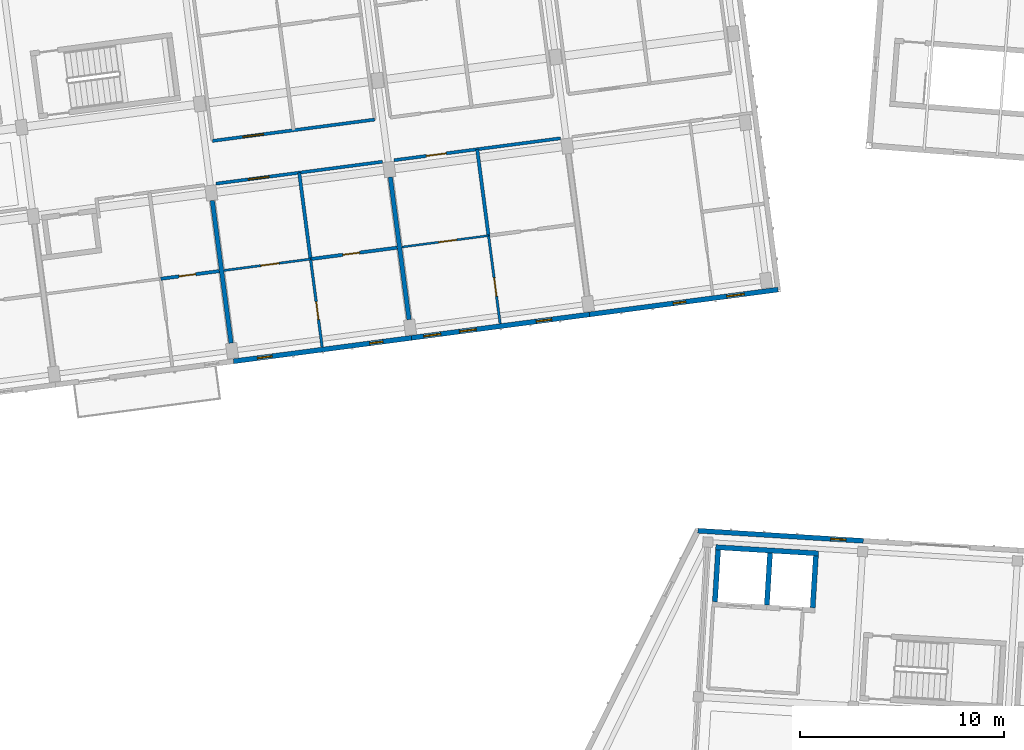
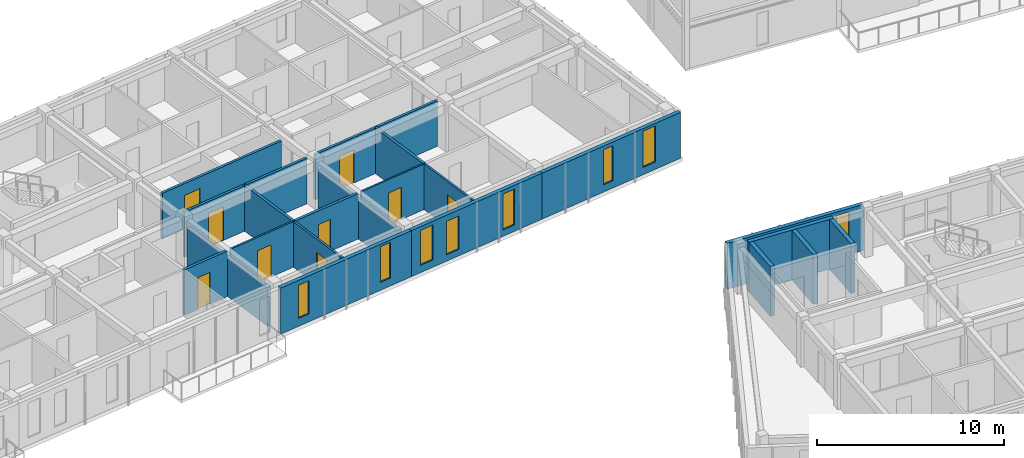
# One storey, part 81 of 127: 21 walls, 9 doors, 8 windows, 17 openings.
"""IFC4 building model written with IfcOpenShell, lengths in metres."""

from ifc_helpers import new_model, si_unit, direction, frame, frame_2d, origin, place, context, subcontext, project, spatial, rectangle, extrude, material, layer, layer_set, type_object, element, fill, save


model = new_model("IFC4")

# Units and contexts
model_context = context("Model", 3, precision=1e-05, world=origin(), true_north=direction((0.0, 1.0)))
body_context = subcontext(model_context, "Body", "Model", "MODEL_VIEW")
ifc_project = project(units=[si_unit("LENGTHUNIT", "METRE"), si_unit("AREAUNIT", "SQUARE_METRE"), si_unit("VOLUMEUNIT", "CUBIC_METRE"), si_unit("PLANEANGLEUNIT", "RADIAN"), si_unit("MASSUNIT", "GRAM", prefix="KILO")], contexts=[model_context])

# Site, building, storey
site_placement = place(None, origin())
site = spatial("IfcSite", under=ifc_project, at=site_placement, CompositionType="ELEMENT")
building_placement = place(site_placement, origin())
building = spatial("IfcBuilding", under=site, at=building_placement, Name="Kestramere Prow Commons", CompositionType="ELEMENT")
storey_placement = place(building_placement, frame((0.0, 0.0, 8.39990234375)))
storey = spatial("IfcBuildingStorey", under=building, at=storey_placement, Name="L02", CompositionType="ELEMENT", Elevation=8.39990234375)

# Wall, openings, windows
ifc_material_1 = material(Name="Fluoropolymer Standing-Seam Zinc-Aluminium Cladding", Category="aluminium")
ifc_layer_1 = layer(ifc_material_1, 0.239990234375)
ifc_layer_set_1 = layer_set([ifc_layer_1], Name="Fluoropolymer Standing-Seam Zinc-Aluminium Cladding")
wall_type_1 = type_object("IfcWallType", Name="EW-SEAM-240", PredefinedType="SOLIDWALL", material=ifc_layer_set_1)
wall_1_placement = place(storey_placement, frame((46.16748046875, 76.073974609375, 0.0), z_axis=(0.0, 0.0, 1.0), x_axis=(-0.991444377792, -0.130529865336, 0.0)))
wall_1 = element("IfcWall", 1, at=wall_1_placement, inside=storey, type_object=wall_type_1, Name="Block A L02 South Standing-Seam Wall 4", PredefinedType="SOLIDWALL", context=body_context, shape_type="SweptSolid", body=[
    extrude(rectangle(XDim=8.800048828125, YDim=0.239990234375, at=frame_2d((4.39990234375, 0.0))), origin(), (0.0, 0.0, 1.0), 3.0),
])
opening_1_placement = place(wall_1_placement, frame((1.4091796875, 0.0, 0.52001953125)))
opening_1 = element("IfcOpeningElement", 2, at=opening_1_placement, cuts=wall_1, Name="Opening WN-05", PredefinedType="OPENING", context=body_context, shape_type="SweptSolid", body=[
    extrude(rectangle(XDim=0.659912109375, YDim=2.320068359375, at=frame_2d((0.330078125, 1.16015625))), frame((0.0, 0.135009765625, 0.0), z_axis=(0.0, -1.0, 0.0), x_axis=(1.0, 0.0, 0.0)), (0.0, 0.0, 1.0), 0.27001953125),
])
opening_2_placement = place(wall_1_placement, frame((6.89453125, 0.0, 0.52001953125)))
opening_2 = element("IfcOpeningElement", 3, at=opening_2_placement, cuts=wall_1, Name="Opening WN-08", PredefinedType="OPENING", context=body_context, shape_type="SweptSolid", body=[
    extrude(rectangle(XDim=0.719970703125, YDim=2.159912109375, at=frame_2d((0.35986328125, 1.080078125))), frame((0.0, 0.135009765625, 0.0), z_axis=(0.0, -1.0, 0.0), x_axis=(1.0, 0.0, 0.0)), (0.0, 0.0, 1.0), 0.27001953125),
])
ifc_material_2 = material(Name="Low-E Laminated Double Glazing", Category="glass")
window_type_1 = type_object("IfcWindowType", Name="WN-NAR-660A", PartitioningType="SINGLE_PANEL", PredefinedType="WINDOW", material=ifc_material_2)
window_1_placement = place(opening_1_placement, origin())
window_1 = element("IfcWindow", 4, at=window_1_placement, inside=storey, type_object=window_type_1, Name="WN-A-L02-S-3-00", OverallHeight=2.320068359375, OverallWidth=0.659912109375, PartitioningType="SINGLE_PANEL", PredefinedType="WINDOW", context=body_context, shape_type="SweptSolid", body=[
    extrude(rectangle(XDim=0.659912109375, YDim=2.320068359375, at=frame_2d((0.330078125, 1.16015625))), frame((0.0, 0.030029296875, 0.0), z_axis=(0.0, -1.0, 0.0), x_axis=(1.0, 0.0, 0.0)), (0.0, 0.0, 1.0), 0.06005859375),
])
fill(opening_1, window_1)
window_type_2 = type_object("IfcWindowType", Name="WN-NAR-720A", PartitioningType="SINGLE_PANEL", PredefinedType="WINDOW", material=ifc_material_2)
window_2_placement = place(opening_2_placement, origin())
window_2 = element("IfcWindow", 5, at=window_2_placement, inside=storey, type_object=window_type_2, Name="WN-A-L02-S-3-10", OverallHeight=2.159912109375, OverallWidth=0.719970703125, PartitioningType="SINGLE_PANEL", PredefinedType="WINDOW", context=body_context, shape_type="SweptSolid", body=[
    extrude(rectangle(XDim=0.719970703125, YDim=2.159912109375, at=frame_2d((0.35986328125, 1.080078125))), frame((0.0, 0.030029296875, 0.0), z_axis=(0.0, -1.0, 0.0), x_axis=(1.0, 0.0, 0.0)), (0.0, 0.0, 1.0), 0.06005859375),
])
fill(opening_2, window_2)

wall_2_placement = place(storey_placement, frame((54.89208984375, 77.22265625, 0.0), z_axis=(0.0, 0.0, 1.0), x_axis=(-0.991443905089, -0.130533455715, 0.0)))
wall_2 = element("IfcWall", 6, at=wall_2_placement, inside=storey, type_object=wall_type_1, Name="Block A L02 South Standing-Seam Wall 5", PredefinedType="SOLIDWALL", context=body_context, shape_type="SweptSolid", body=[
    extrude(rectangle(XDim=8.7998046875, YDim=0.239990234375, at=frame_2d((4.39990234375, 0.0))), origin(), (0.0, 0.0, 1.0), 3.0),
])
opening_3_placement = place(wall_2_placement, frame((1.873291015625, 0.0, 0.419921875)))
opening_3 = element("IfcOpeningElement", 7, at=opening_3_placement, cuts=wall_2, Name="Opening WN-10", PredefinedType="OPENING", context=body_context, shape_type="SweptSolid", body=[
    extrude(rectangle(XDim=0.760009765625, YDim=2.340087890625, at=frame_2d((0.3798828125, 1.169921875))), frame((0.0, 0.135009765625, 0.0), z_axis=(0.0, -1.0, 0.0), x_axis=(1.0, 0.0, 0.0)), (0.0, 0.0, 1.0), 0.27001953125),
])
opening_4_placement = place(wall_2_placement, frame((5.60400390625, 0.0, 0.419921875)))
opening_4 = element("IfcOpeningElement", 8, at=opening_4_placement, cuts=wall_2, Name="Opening WN-13", PredefinedType="OPENING", context=body_context, shape_type="SweptSolid", body=[
    extrude(rectangle(XDim=0.820068359375, YDim=2.179931640625, at=frame_2d((0.41015625, 1.08984375))), frame((0.0, 0.135009765625, 0.0), z_axis=(0.0, -1.0, 0.0), x_axis=(1.0, 0.0, 0.0)), (0.0, 0.0, 1.0), 0.27001953125),
])
opening_5_placement = place(wall_2_placement, frame((7.35009765625, 0.0, 0.47998046875)))
opening_5 = element("IfcOpeningElement", 9, at=opening_5_placement, cuts=wall_2, Name="Opening WN-14", PredefinedType="OPENING", context=body_context, shape_type="SweptSolid", body=[
    extrude(rectangle(XDim=0.840087890625, YDim=2.280029296875, at=frame_2d((0.419921875, 1.14013671875))), frame((0.0, 0.135009765625, 0.0), z_axis=(0.0, -1.0, 0.0), x_axis=(1.0, 0.0, 0.0)), (0.0, 0.0, 1.0), 0.27001953125),
])
window_type_3 = type_object("IfcWindowType", Name="WN-NAR-760A", PartitioningType="SINGLE_PANEL", PredefinedType="WINDOW", material=ifc_material_2)
window_3_placement = place(opening_3_placement, origin())
window_3 = element("IfcWindow", 10, at=window_3_placement, inside=storey, type_object=window_type_3, Name="WN-A-L02-S-4-00", OverallHeight=2.340087890625, OverallWidth=0.760009765625, PartitioningType="SINGLE_PANEL", PredefinedType="WINDOW", context=body_context, shape_type="SweptSolid", body=[
    extrude(rectangle(XDim=0.760009765625, YDim=2.340087890625, at=frame_2d((0.3798828125, 1.169921875))), frame((0.0, 0.030029296875, 0.0), z_axis=(0.0, -1.0, 0.0), x_axis=(1.0, 0.0, 0.0)), (0.0, 0.0, 1.0), 0.06005859375),
])
fill(opening_3, window_3)
window_type_4 = type_object("IfcWindowType", Name="WN-NAR-820A", PartitioningType="DOUBLE_PANEL_VERTICAL", PredefinedType="WINDOW", material=ifc_material_2)
window_4_placement = place(opening_4_placement, origin())
window_4 = element("IfcWindow", 11, at=window_4_placement, inside=storey, type_object=window_type_4, Name="WN-A-L02-S-4-10", OverallHeight=2.179931640625, OverallWidth=0.820068359375, PartitioningType="SINGLE_PANEL", PredefinedType="WINDOW", context=body_context, shape_type="SweptSolid", body=[
    extrude(rectangle(XDim=0.820068359375, YDim=2.179931640625, at=frame_2d((0.41015625, 1.08984375))), frame((0.0, 0.030029296875, 0.0), z_axis=(0.0, -1.0, 0.0), x_axis=(1.0, 0.0, 0.0)), (0.0, 0.0, 1.0), 0.06005859375),
])
fill(opening_4, window_4)
window_type_5 = type_object("IfcWindowType", Name="WN-NAR-840A", PartitioningType="DOUBLE_PANEL_VERTICAL", PredefinedType="WINDOW", material=ifc_material_2)
window_5_placement = place(opening_5_placement, origin())
window_5 = element("IfcWindow", 12, at=window_5_placement, inside=storey, type_object=window_type_5, Name="WN-A-L02-S-4-11", OverallHeight=2.280029296875, OverallWidth=0.840087890625, PartitioningType="SINGLE_PANEL", PredefinedType="WINDOW", context=body_context, shape_type="SweptSolid", body=[
    extrude(rectangle(XDim=0.840087890625, YDim=2.280029296875, at=frame_2d((0.419921875, 1.14013671875))), frame((0.0, 0.030029296875, 0.0), z_axis=(0.0, -1.0, 0.0), x_axis=(1.0, 0.0, 0.0)), (0.0, 0.0, 1.0), 0.06005859375),
])
fill(opening_5, window_5)

wall_3_placement = place(storey_placement, frame((64.13720703125, 78.439697265625, 0.0), z_axis=(0.0, 0.0, 1.0), x_axis=(-0.991446273426, -0.130515466173, 0.0)))
wall_3 = element("IfcWall", 13, at=wall_3_placement, inside=storey, type_object=wall_type_1, Name="Block A L02 South Standing-Seam Wall 6", PredefinedType="SOLIDWALL", context=body_context, shape_type="SweptSolid", body=[
    extrude(rectangle(XDim=9.324951171875, YDim=0.239990234375, at=frame_2d((4.66259765625, 0.0))), origin(), (0.0, 0.0, 1.0), 3.0),
])
opening_6_placement = place(wall_3_placement, frame((1.681884765625, 0.0, 0.47998046875)))
opening_6 = element("IfcOpeningElement", 14, at=opening_6_placement, cuts=wall_3, Name="Opening WN-15", PredefinedType="OPENING", context=body_context, shape_type="SweptSolid", body=[
    extrude(rectangle(XDim=0.860107421875, YDim=2.360107421875, at=frame_2d((0.43017578125, 1.18017578125))), frame((0.0, 0.135009765625, 0.0), z_axis=(0.0, -1.0, 0.0), x_axis=(1.0, 0.0, 0.0)), (0.0, 0.0, 1.0), 0.27001953125),
])
opening_7_placement = place(wall_3_placement, frame((4.5634765625, 0.0, 0.47998046875)))
opening_7 = element("IfcOpeningElement", 15, at=opening_7_placement, cuts=wall_3, Name="Opening WN-03", PredefinedType="OPENING", context=body_context, shape_type="SweptSolid", body=[
    extrude(rectangle(XDim=0.6201171875, YDim=2.280029296875, at=frame_2d((0.31005859375, 1.14013671875))), frame((0.0, 0.135009765625, 0.0), z_axis=(0.0, -1.0, 0.0), x_axis=(1.0, 0.0, 0.0)), (0.0, 0.0, 1.0), 0.27001953125),
])
window_type_6 = type_object("IfcWindowType", Name="WN-NAR-620A", PartitioningType="SINGLE_PANEL", PredefinedType="WINDOW", material=ifc_material_2)
window_6_placement = place(opening_7_placement, origin())
window_6 = element("IfcWindow", 16, at=window_6_placement, inside=storey, type_object=window_type_6, Name="WN-A-L02-S-5-10", OverallHeight=2.280029296875, OverallWidth=0.6201171875, PartitioningType="SINGLE_PANEL", PredefinedType="WINDOW", context=body_context, shape_type="SweptSolid", body=[
    extrude(rectangle(XDim=0.6201171875, YDim=2.280029296875, at=frame_2d((0.31005859375, 1.14013671875))), frame((0.0, 0.030029296875, 0.0), z_axis=(0.0, -1.0, 0.0), x_axis=(1.0, 0.0, 0.0)), (0.0, 0.0, 1.0), 0.06005859375),
])
fill(opening_7, window_6)
window_type_7 = type_object("IfcWindowType", Name="WN-NAR-860A", PartitioningType="DOUBLE_PANEL_VERTICAL", PredefinedType="WINDOW", material=ifc_material_2)
window_7_placement = place(opening_6_placement, origin())
window_7 = element("IfcWindow", 17, at=window_7_placement, inside=storey, type_object=window_type_7, Name="WN-A-L02-S-5-00", OverallHeight=2.360107421875, OverallWidth=0.860107421875, PartitioningType="SINGLE_PANEL", PredefinedType="WINDOW", context=body_context, shape_type="SweptSolid", body=[
    extrude(rectangle(XDim=0.860107421875, YDim=2.360107421875, at=frame_2d((0.43017578125, 1.18017578125))), frame((0.0, 0.030029296875, 0.0), z_axis=(0.0, -1.0, 0.0), x_axis=(1.0, 0.0, 0.0)), (0.0, 0.0, 1.0), 0.06005859375),
])
fill(opening_6, window_7)

# Wall, opening, window
wall_4_placement = place(storey_placement, frame((60.20458984375, 66.61962890625, 0.0), z_axis=(0.0, 0.0, 1.0), x_axis=(0.998134248939, -0.061057522844, 0.0)))
wall_4 = element("IfcWall", 18, at=wall_4_placement, inside=storey, type_object=wall_type_1, Name="Block C L02 North Standing-Seam Wall 1", PredefinedType="SOLIDWALL", context=body_context, shape_type="SweptSolid", body=[
    extrude(rectangle(XDim=8.125, YDim=0.239990234375, at=frame_2d((4.0625, 0.0))), origin(), (0.0, 0.0, 1.0), 3.0),
])
opening_8_placement = place(wall_4_placement, frame((6.52490234375, 0.0, 0.449951171875)))
opening_8 = element("IfcOpeningElement", 19, at=opening_8_placement, cuts=wall_4, Name="Opening WN-19", PredefinedType="OPENING", context=body_context, shape_type="SweptSolid", body=[
    extrude(rectangle(XDim=0.75, YDim=2.320068359375, at=frame_2d((0.375, 1.16015625))), frame((0.0, 0.135009765625, 0.0), z_axis=(0.0, -1.0, 0.0), x_axis=(1.0, 0.0, 0.0)), (0.0, 0.0, 1.0), 0.27001953125),
])
window_type_8 = type_object("IfcWindowType", Name="WN-CLER-1800", PartitioningType="SINGLE_PANEL", PredefinedType="WINDOW", material=ifc_material_2)
window_8_placement = place(opening_8_placement, origin())
window_8 = element("IfcWindow", 20, at=window_8_placement, inside=storey, type_object=window_type_8, Name="Block C L02 Core Lobby Slot Window", OverallHeight=2.320068359375, OverallWidth=0.75, PartitioningType="SINGLE_PANEL", PredefinedType="WINDOW", context=body_context, shape_type="SweptSolid", body=[
    extrude(rectangle(XDim=0.75, YDim=2.320068359375, at=frame_2d((0.375, 1.16015625))), frame((0.0, 0.030029296875, 0.0), z_axis=(0.0, -1.0, 0.0), x_axis=(1.0, 0.0, 0.0)), (0.0, 0.0, 1.0), 0.06005859375),
])
fill(opening_8, window_8)

# Walls
ifc_material_3 = material(Name="Concrete C40/50", Category="concrete")
ifc_layer_2 = layer(ifc_material_3, 0.25)
ifc_layer_set_2 = layer_set([ifc_layer_2], Name="Concrete C40/50")
wall_type_2 = type_object("IfcWallType", Name="W-CORE-250", PredefinedType="SHEAR", material=ifc_layer_set_2)
wall_5_placement = place(storey_placement, frame((61.08203125, 65.814453125, 0.0), z_axis=(0.0, 0.0, 1.0), x_axis=(0.998134101522, -0.061059932685, 0.0)))
element("IfcWall", 21, at=wall_5_placement, inside=storey, type_object=wall_type_2, Name="Block C L02 Lift Core Back Wall", PredefinedType="SHEAR", context=body_context, shape_type="SweptSolid", body=[
    extrude(rectangle(XDim=5.050048828125, YDim=0.25, at=frame_2d((2.52490234375, 0.0))), origin(), (0.0, 0.0, 1.0), 3.25),
])
wall_6_placement = place(storey_placement, frame((61.04345703125, 63.13671875, 0.0), z_axis=(0.0, 0.0, 1.0), x_axis=(0.061078919587, 0.998132939834, 0.0)))
element("IfcWall", 22, at=wall_6_placement, inside=storey, type_object=wall_type_2, Name="Block C L02 Lift Core Side Wall L", PredefinedType="SHEAR", context=body_context, shape_type="SweptSolid", body=[
    extrude(rectangle(XDim=2.55029296875, YDim=0.25, at=frame_2d((1.275146484375, 0.0))), origin(), (0.0, 0.0, 1.0), 3.25),
])
wall_7_placement = place(storey_placement, frame((63.5888671875, 62.981201171875, 0.0), z_axis=(0.0, 0.0, 1.0), x_axis=(0.060989368901, 0.998138415692, 0.0)))
element("IfcWall", 23, at=wall_7_placement, inside=storey, type_object=wall_type_2, Name="Block C L02 Lift Core Side Wall M", PredefinedType="SHEAR", context=body_context, shape_type="SweptSolid", body=[
    extrude(rectangle(XDim=2.5498046875, YDim=0.25, at=frame_2d((1.27490234375, 0.0))), origin(), (0.0, 0.0, 1.0), 3.25),
])
wall_8_placement = place(storey_placement, frame((65.83447265625, 62.84375, 0.0), z_axis=(0.0, 0.0, 1.0), x_axis=(0.061084756616, 0.998132582631, 0.0)))
element("IfcWall", 24, at=wall_8_placement, inside=storey, type_object=wall_type_2, Name="Block C L02 Lift Core Side Wall R", PredefinedType="SHEAR", context=body_context, shape_type="SweptSolid", body=[
    extrude(rectangle(XDim=2.550048828125, YDim=0.25, at=frame_2d((1.27490234375, 0.0))), origin(), (0.0, 0.0, 1.0), 3.25),
])

# Wall, opening, door
ifc_material_4 = material(Name="Fire-Rated Calcium Silicate Wall")
ifc_layer_3 = layer(ifc_material_4, 0.155029296875)
ifc_layer_set_3 = layer_set([ifc_layer_3], Name="Fire-Rated Calcium Silicate Wall")
wall_type_3 = type_object("IfcWallType", Name="W-FIRE-150", PredefinedType="PARTITIONING", material=ifc_layer_set_3)
wall_9_placement = place(storey_placement, frame((36.583740234375, 83.6328125, 0.0), z_axis=(0.0, 0.0, 1.0), x_axis=(0.991445206002, 0.130523574484, 0.0)))
wall_9 = element("IfcWall", 25, at=wall_9_placement, inside=storey, type_object=wall_type_3, Name="Interior Partition PW-A-L02-CS-3", PredefinedType="PARTITIONING", context=body_context, shape_type="SweptSolid", body=[
    extrude(rectangle(XDim=8.22998046875, YDim=0.155029296875, at=frame_2d((4.114990234375, 0.0))), origin(), (0.0, 0.0, 1.0), 2.97021484375),
])
opening_9_placement = place(wall_9_placement, frame((1.60498046875, 0.0, 0.0)))
opening_9 = element("IfcOpeningElement", 26, at=opening_9_placement, cuts=wall_9, Name="Opening ID-05", PredefinedType="OPENING", context=body_context, shape_type="SweptSolid", body=[
    extrude(rectangle(XDim=1.02001953125, YDim=2.199951171875, at=frame_2d((0.510009765625, 1.10009765625))), frame((0.0, 0.092529296875, 0.0), z_axis=(0.0, -1.0, 0.0), x_axis=(1.0, 0.0, 0.0)), (0.0, 0.0, 1.0), 0.18505859375),
])
ifc_material_5 = material(Name="Hardwood Fire-Rated Flat Entrance Door", Category="wood")
door_type_1 = type_object("IfcDoorType", Name="FD-ENT-02", OperationType="NOTDEFINED", PredefinedType="DOOR", material=ifc_material_5)
door_1_placement = place(opening_9_placement, origin())
door_1 = element("IfcDoor", 27, at=door_1_placement, inside=storey, type_object=door_type_1, Name="Interior Door DR-A-L02-ENT-S3", OperationType="SINGLE_SWING_RIGHT", OverallHeight=2.199951171875, OverallWidth=1.02001953125, PredefinedType="DOOR", context=body_context, shape_type="SweptSolid", body=[
    extrude(rectangle(XDim=1.02001953125, YDim=2.199951171875, at=frame_2d((0.510009765625, 1.10009765625))), frame((0.0, 0.02490234375, 0.0), z_axis=(0.0, -1.0, 0.0), x_axis=(1.0, 0.0, 0.0)), (0.0, 0.0, 1.0), 0.050048828125),
])
fill(opening_9, door_1)

wall_10_placement = place(storey_placement, frame((45.30859375, 84.781494140625, 0.0), z_axis=(0.0, 0.0, 1.0), x_axis=(0.991444700604, 0.130527413383, 0.0)))
wall_10 = element("IfcWall", 28, at=wall_10_placement, inside=storey, type_object=wall_type_3, Name="Interior Partition PW-A-L02-CS-4", PredefinedType="PARTITIONING", context=body_context, shape_type="SweptSolid", body=[
    extrude(rectangle(XDim=8.229736328125, YDim=0.155029296875, at=frame_2d((4.11474609375, 0.0))), origin(), (0.0, 0.0, 1.0), 2.97021484375),
])
opening_10_placement = place(wall_10_placement, frame((1.60498046875, 0.0, 0.0)))
opening_10 = element("IfcOpeningElement", 29, at=opening_10_placement, cuts=wall_10, Name="Opening ID-04", PredefinedType="OPENING", context=body_context, shape_type="SweptSolid", body=[
    extrude(rectangle(XDim=0.97998046875, YDim=2.14990234375, at=frame_2d((0.489990234375, 1.074951171875))), frame((0.0, 0.092529296875, 0.0), z_axis=(0.0, -1.0, 0.0), x_axis=(1.0, 0.0, 0.0)), (0.0, 0.0, 1.0), 0.18505859375),
])
door_type_2 = type_object("IfcDoorType", Name="FD-ENT-01", OperationType="NOTDEFINED", PredefinedType="DOOR", material=ifc_material_5)
door_2_placement = place(opening_10_placement, origin())
door_2 = element("IfcDoor", 30, at=door_2_placement, inside=storey, type_object=door_type_2, Name="Interior Door DR-A-L02-ENT-S4", OperationType="SINGLE_SWING_LEFT", OverallHeight=2.14990234375, OverallWidth=0.97998046875, PredefinedType="DOOR", context=body_context, shape_type="SweptSolid", body=[
    extrude(rectangle(XDim=0.97998046875, YDim=2.14990234375, at=frame_2d((0.489990234375, 1.074951171875))), frame((0.0, 0.02490234375, 0.0), z_axis=(0.0, -1.0, 0.0), x_axis=(1.0, 0.0, 0.0)), (0.0, 0.0, 1.0), 0.050048828125),
])
fill(opening_10, door_2)

wall_11_placement = place(storey_placement, frame((36.413818359375, 85.728515625, 0.0), z_axis=(0.0, 0.0, 1.0), x_axis=(0.991444034844, 0.130532470184, 0.0)))
wall_11 = element("IfcWall", 31, at=wall_11_placement, inside=storey, type_object=wall_type_3, Name="Interior Partition PW-A-L02-CN-3", PredefinedType="PARTITIONING", context=body_context, shape_type="SweptSolid", body=[
    extrude(rectangle(XDim=8.02001953125, YDim=0.155029296875, at=frame_2d((4.010009765625, 0.0))), origin(), (0.0, 0.0, 1.0), 2.97021484375),
])
opening_11_placement = place(wall_11_placement, frame((1.5048828125, 0.0, 0.0)))
opening_11 = element("IfcOpeningElement", 32, at=opening_11_placement, cuts=wall_11, Name="Opening ID-05", PredefinedType="OPENING", context=body_context, shape_type="SweptSolid", body=[
    extrude(rectangle(XDim=1.02001953125, YDim=2.199951171875, at=frame_2d((0.510009765625, 1.10009765625))), frame((0.0, 0.092529296875, 0.0), z_axis=(0.0, -1.0, 0.0), x_axis=(1.0, 0.0, 0.0)), (0.0, 0.0, 1.0), 0.18505859375),
])
door_3_placement = place(opening_11_placement, origin())
door_3 = element("IfcDoor", 33, at=door_3_placement, inside=storey, type_object=door_type_1, Name="Interior Door DR-A-L02-ENT-N3", OperationType="SINGLE_SWING_RIGHT", OverallHeight=2.199951171875, OverallWidth=1.02001953125, PredefinedType="DOOR", context=body_context, shape_type="SweptSolid", body=[
    extrude(rectangle(XDim=1.02001953125, YDim=2.199951171875, at=frame_2d((0.510009765625, 1.10009765625))), frame((0.0, 0.02490234375, 0.0), z_axis=(0.0, -1.0, 0.0), x_axis=(1.0, 0.0, 0.0)), (0.0, 0.0, 1.0), 0.050048828125),
])
fill(opening_11, door_3)

ifc_material_6 = material(Name="Gypsum Acoustic Drywall")
ifc_layer_4 = layer(ifc_material_6, 0.10009765625)
ifc_layer_set_4 = layer_set([ifc_layer_4], Name="Gypsum Acoustic Drywall")
wall_type_4 = type_object("IfcWallType", Name="W-PART-100", PredefinedType="PARTITIONING", material=ifc_layer_set_4)
wall_12_placement = place(storey_placement, frame((45.697265625, 80.525634765625, 0.0), z_axis=(0.0, 0.0, 1.0), x_axis=(0.991444014242, 0.130532626667, 0.0)))
wall_12 = element("IfcWall", 34, at=wall_12_placement, inside=storey, type_object=wall_type_4, Name="Interior Partition PW-A-L02-MIDS1-4", PredefinedType="PARTITIONING", context=body_context, shape_type="SweptSolid", body=[
    extrude(rectangle(XDim=4.284912109375, YDim=0.10009765625, at=frame_2d((2.142578125, 0.0))), origin(), (0.0, 0.0, 1.0), 2.97021484375),
])
opening_12_placement = place(wall_12_placement, frame((1.824951171875, 0.0, 0.0)))
opening_12 = element("IfcOpeningElement", 35, at=opening_12_placement, cuts=wall_12, Name="Opening ID-10", PredefinedType="OPENING", context=body_context, shape_type="SweptSolid", body=[
    extrude(rectangle(XDim=0.8798828125, YDim=2.10009765625, at=frame_2d((0.43994140625, 1.050048828125))), frame((0.0, 0.06494140625, 0.0), z_axis=(0.0, -1.0, 0.0), x_axis=(1.0, 0.0, 0.0)), (0.0, 0.0, 1.0), 0.130126953125),
])
ifc_material_7 = material(Name="Engineered Timber Bedroom Door", Category="wood")
door_type_3 = type_object("IfcDoorType", Name="D-RM-03", OperationType="NOTDEFINED", PredefinedType="DOOR", material=ifc_material_7)
door_4_placement = place(opening_12_placement, origin())
door_4 = element("IfcDoor", 36, at=door_4_placement, inside=storey, type_object=door_type_3, Name="Interior Door DR-A-L02-KL-S4", OperationType="SINGLE_SWING_RIGHT", OverallHeight=2.10009765625, OverallWidth=0.8798828125, PredefinedType="DOOR", context=body_context, shape_type="SweptSolid", body=[
    extrude(rectangle(XDim=0.8798828125, YDim=2.10009765625, at=frame_2d((0.43994140625, 1.050048828125))), frame((0.0, 0.02490234375, 0.0), z_axis=(0.0, -1.0, 0.0), x_axis=(1.0, 0.0, 0.0)), (0.0, 0.0, 1.0), 0.050048828125),
])
fill(opening_12, door_4)

ifc_layer_5 = layer(ifc_material_6, 0.110107421875)
ifc_layer_set_5 = layer_set([ifc_layer_5], Name="Gypsum Acoustic Drywall")
wall_type_5 = type_object("IfcWallType", Name="W-PART-110", PredefinedType="PARTITIONING", material=ifc_layer_set_5)
wall_13_placement = place(storey_placement, frame((36.97265625, 79.377197265625, 0.0), z_axis=(0.0, 0.0, 1.0), x_axis=(0.991444014242, 0.130532626667, 0.0)))
wall_13 = element("IfcWall", 37, at=wall_13_placement, inside=storey, type_object=wall_type_5, Name="Interior Partition PW-A-L02-MIDS1-3", PredefinedType="PARTITIONING", context=body_context, shape_type="SweptSolid", body=[
    extrude(rectangle(XDim=4.284912109375, YDim=0.110107421875, at=frame_2d((2.142578125, 0.0))), origin(), (0.0, 0.0, 1.0), 2.97021484375),
])
opening_13_placement = place(wall_13_placement, frame((1.824951171875, 0.0, 0.0)))
opening_13 = element("IfcOpeningElement", 38, at=opening_13_placement, cuts=wall_13, Name="Opening ID-08", PredefinedType="OPENING", context=body_context, shape_type="SweptSolid", body=[
    extrude(rectangle(XDim=0.89990234375, YDim=2.10009765625, at=frame_2d((0.449951171875, 1.050048828125))), frame((0.0, 0.070068359375, 0.0), z_axis=(0.0, -1.0, 0.0), x_axis=(1.0, 0.0, 0.0)), (0.0, 0.0, 1.0), 0.14013671875),
])
ifc_material_8 = material(Name="Engineered Timber Flush Door", Category="wood")
door_type_4 = type_object("IfcDoorType", Name="D-RM-01", OperationType="NOTDEFINED", PredefinedType="DOOR", material=ifc_material_8)
door_5_placement = place(opening_13_placement, origin())
door_5 = element("IfcDoor", 39, at=door_5_placement, inside=storey, type_object=door_type_4, Name="Interior Door DR-A-L02-KL-S3", OperationType="SINGLE_SWING_RIGHT", OverallHeight=2.10009765625, OverallWidth=0.89990234375, PredefinedType="DOOR", context=body_context, shape_type="SweptSolid", body=[
    extrude(rectangle(XDim=0.89990234375, YDim=2.10009765625, at=frame_2d((0.449951171875, 1.050048828125))), frame((0.0, 0.02490234375, 0.0), z_axis=(0.0, -1.0, 0.0), x_axis=(1.0, 0.0, 0.0)), (0.0, 0.0, 1.0), 0.050048828125),
])
fill(opening_13, door_5)

ifc_material_9 = material(Name="Lightweight Blockwork and Plaster", Category="masonry")
ifc_layer_6 = layer(ifc_material_9, 0.1201171875)
ifc_layer_set_6 = layer_set([ifc_layer_6], Name="Lightweight Blockwork and Plaster")
wall_type_6 = type_object("IfcWallType", Name="W-PART-120", PredefinedType="PARTITIONING", material=ifc_layer_set_6)
wall_14_placement = place(storey_placement, frame((50.51220703125, 76.7822265625, 0.0), z_axis=(0.0, 0.0, 1.0), x_axis=(-0.130568017521, 0.991439354071, 0.0)))
wall_14 = element("IfcWall", 40, at=wall_14_placement, inside=storey, type_object=wall_type_6, Name="Interior Partition PW-A-L02-LB-S4", PredefinedType="PARTITIONING", context=body_context, shape_type="SweptSolid", body=[
    extrude(rectangle(XDim=4.33984375, YDim=0.1201171875, at=frame_2d((2.169921875, 0.0))), origin(), (0.0, 0.0, 1.0), 2.97021484375),
])
opening_14_placement = place(wall_14_placement, frame((1.35009765625, 0.0, 0.0)))
opening_14 = element("IfcOpeningElement", 41, at=opening_14_placement, cuts=wall_14, Name="Opening ID-08", PredefinedType="OPENING", context=body_context, shape_type="SweptSolid", body=[
    extrude(rectangle(XDim=0.89990234375, YDim=2.10009765625, at=frame_2d((0.449951171875, 1.050048828125))), frame((0.0, 0.074951171875, 0.0), z_axis=(0.0, -1.0, 0.0), x_axis=(1.0, 0.0, 0.0)), (0.0, 0.0, 1.0), 0.150146484375),
])
door_6_placement = place(opening_14_placement, origin())
door_6 = element("IfcDoor", 42, at=door_6_placement, inside=storey, type_object=door_type_4, Name="Interior Door DR-A-L02-BED-S4", OperationType="SINGLE_SWING_LEFT", OverallHeight=2.10009765625, OverallWidth=0.89990234375, PredefinedType="DOOR", context=body_context, shape_type="SweptSolid", body=[
    extrude(rectangle(XDim=0.89990234375, YDim=2.10009765625, at=frame_2d((0.449951171875, 1.050048828125))), frame((0.0, 0.02490234375, 0.0), z_axis=(0.0, -1.0, 0.0), x_axis=(1.0, 0.0, 0.0)), (0.0, 0.0, 1.0), 0.050048828125),
])
fill(opening_14, door_6)

ifc_layer_7 = layer(ifc_material_9, 0.1298828125)
ifc_layer_set_7 = layer_set([ifc_layer_7], Name="Lightweight Blockwork and Plaster")
wall_type_7 = type_object("IfcWallType", Name="W-PART-130", PredefinedType="PARTITIONING", material=ifc_layer_set_7)
wall_15_placement = place(storey_placement, frame((41.787353515625, 75.633544921875, 0.0), z_axis=(0.0, 0.0, 1.0), x_axis=(-0.130505442025, 0.991447592968, 0.0)))
wall_15 = element("IfcWall", 43, at=wall_15_placement, inside=storey, type_object=wall_type_7, Name="Interior Partition PW-A-L02-LB-S3", PredefinedType="PARTITIONING", context=body_context, shape_type="SweptSolid", body=[
    extrude(rectangle(XDim=4.340087890625, YDim=0.1298828125, at=frame_2d((2.169921875, 0.0))), origin(), (0.0, 0.0, 1.0), 2.97021484375),
])
opening_15_placement = place(wall_15_placement, frame((1.35009765625, 0.0, 0.0)))
opening_15 = element("IfcOpeningElement", 44, at=opening_15_placement, cuts=wall_15, Name="Opening ID-10", PredefinedType="OPENING", context=body_context, shape_type="SweptSolid", body=[
    extrude(rectangle(XDim=0.8798828125, YDim=2.10009765625, at=frame_2d((0.43994140625, 1.050048828125))), frame((0.0, 0.079833984375, 0.0), z_axis=(0.0, -1.0, 0.0), x_axis=(1.0, 0.0, 0.0)), (0.0, 0.0, 1.0), 0.159912109375),
])
door_7_placement = place(opening_15_placement, origin())
door_7 = element("IfcDoor", 45, at=door_7_placement, inside=storey, type_object=door_type_3, Name="Interior Door DR-A-L02-BED-S3", OperationType="SINGLE_SWING_RIGHT", OverallHeight=2.10009765625, OverallWidth=0.8798828125, PredefinedType="DOOR", context=body_context, shape_type="SweptSolid", body=[
    extrude(rectangle(XDim=0.8798828125, YDim=2.10009765625, at=frame_2d((0.43994140625, 1.050048828125))), frame((0.0, 0.02490234375, 0.0), z_axis=(0.0, -1.0, 0.0), x_axis=(1.0, 0.0, 0.0)), (0.0, 0.0, 1.0), 0.050048828125),
])
fill(opening_15, door_7)

ifc_material_10 = material(Name="Waterproof Sanitary Masonry Wall", Category="masonry")
ifc_layer_8 = layer(ifc_material_10, 0.1650390625)
ifc_layer_set_8 = layer_set([ifc_layer_8], Name="Waterproof Sanitary Masonry Wall")
wall_type_8 = type_object("IfcWallType", Name="W-PLUMB-150", PredefinedType="PLUMBINGWALL", material=ifc_layer_set_8)
wall_16_placement = place(storey_placement, frame((33.87939453125, 78.969970703125, 0.0), z_axis=(0.0, 0.0, 1.0), x_axis=(0.9914456672, 0.130520071219, 0.0)))
wall_16 = element("IfcWall", 46, at=wall_16_placement, inside=storey, type_object=wall_type_8, Name="Interior Partition PW-A-L02-MIDS2-2", PredefinedType="PLUMBINGWALL", context=body_context, shape_type="SweptSolid", body=[
    extrude(rectangle(XDim=2.889892578125, YDim=0.1650390625, at=frame_2d((1.44482421875, 0.0))), origin(), (0.0, 0.0, 1.0), 2.97021484375),
])
opening_16_placement = place(wall_16_placement, frame((0.903076171875, 0.0, 0.0)))
opening_16 = element("IfcOpeningElement", 47, at=opening_16_placement, cuts=wall_16, Name="Opening ID-11", PredefinedType="OPENING", context=body_context, shape_type="SweptSolid", body=[
    extrude(rectangle(XDim=0.820068359375, YDim=2.080078125, at=frame_2d((0.41015625, 1.0400390625))), frame((0.0, 0.097412109375, 0.0), z_axis=(0.0, -1.0, 0.0), x_axis=(1.0, 0.0, 0.0)), (0.0, 0.0, 1.0), 0.195068359375),
])
ifc_material_11 = material(Name="Moisture-Resistant Timber Bathroom Door", Category="wood")
door_type_5 = type_object("IfcDoorType", Name="D-BT-01", OperationType="NOTDEFINED", PredefinedType="DOOR", material=ifc_material_11)
door_8_placement = place(opening_16_placement, origin())
door_8 = element("IfcDoor", 48, at=door_8_placement, inside=storey, type_object=door_type_5, Name="Interior Door DR-A-L02-BTH-S2", OperationType="SINGLE_SWING_LEFT", OverallHeight=2.080078125, OverallWidth=0.820068359375, PredefinedType="DOOR", context=body_context, shape_type="SweptSolid", body=[
    extrude(rectangle(XDim=0.820068359375, YDim=2.080078125, at=frame_2d((0.41015625, 1.0400390625))), frame((0.0, 0.02490234375, 0.0), z_axis=(0.0, -1.0, 0.0), x_axis=(1.0, 0.0, 0.0)), (0.0, 0.0, 1.0), 0.050048828125),
])
fill(opening_16, door_8)

wall_17_placement = place(storey_placement, frame((41.220947265625, 79.9365234375, 0.0), z_axis=(0.0, 0.0, 1.0), x_axis=(0.991451386343, 0.130476620581, 0.0)))
wall_17 = element("IfcWall", 49, at=wall_17_placement, inside=storey, type_object=wall_type_8, Name="Interior Partition PW-A-L02-MIDS2-3", PredefinedType="PLUMBINGWALL", context=body_context, shape_type="SweptSolid", body=[
    extrude(rectangle(XDim=4.284912109375, YDim=0.1650390625, at=frame_2d((2.142578125, 0.0))), origin(), (0.0, 0.0, 1.0), 2.97021484375),
])
opening_17_placement = place(wall_17_placement, frame((1.60009765625, 0.0, 0.0)))
opening_17 = element("IfcOpeningElement", 50, at=opening_17_placement, cuts=wall_17, Name="Opening ID-11", PredefinedType="OPENING", context=body_context, shape_type="SweptSolid", body=[
    extrude(rectangle(XDim=0.820068359375, YDim=2.080078125, at=frame_2d((0.41015625, 1.0400390625))), frame((0.0, 0.097412109375, 0.0), z_axis=(0.0, -1.0, 0.0), x_axis=(1.0, 0.0, 0.0)), (0.0, 0.0, 1.0), 0.195068359375),
])
door_9_placement = place(opening_17_placement, origin())
door_9 = element("IfcDoor", 51, at=door_9_placement, inside=storey, type_object=door_type_5, Name="Interior Door DR-A-L02-BTH-S3", OperationType="SINGLE_SWING_LEFT", OverallHeight=2.080078125, OverallWidth=0.820068359375, PredefinedType="DOOR", context=body_context, shape_type="SweptSolid", body=[
    extrude(rectangle(XDim=0.820068359375, YDim=2.080078125, at=frame_2d((0.41015625, 1.0400390625))), frame((0.0, 0.02490234375, 0.0), z_axis=(0.0, -1.0, 0.0), x_axis=(1.0, 0.0, 0.0)), (0.0, 0.0, 1.0), 0.050048828125),
])
fill(opening_17, door_9)

# Walls
wall_18_placement = place(storey_placement, frame((41.220947265625, 79.9365234375, 0.0), z_axis=(0.0, 0.0, 1.0), x_axis=(-0.13053438047, 0.991443783336, 0.0)))
element("IfcWall", 52, at=wall_18_placement, inside=storey, type_object=wall_type_8, Name="Interior Partition PW-A-L02-KB-S3", PredefinedType="PLUMBINGWALL", context=body_context, shape_type="SweptSolid", body=[
    extrude(rectangle(XDim=4.27001953125, YDim=0.1650390625, at=frame_2d((2.135009765625, 0.0))), origin(), (0.0, 0.0, 1.0), 2.97021484375),
])
wall_19_placement = place(storey_placement, frame((49.945556640625, 81.0849609375, 0.0), z_axis=(0.0, 0.0, 1.0), x_axis=(-0.130526981222, 0.991444757499, 0.0)))
element("IfcWall", 53, at=wall_19_placement, inside=storey, type_object=wall_type_8, Name="Interior Partition PW-A-L02-KB-S4", PredefinedType="PLUMBINGWALL", context=body_context, shape_type="SweptSolid", body=[
    extrude(rectangle(XDim=4.270263671875, YDim=0.1650390625, at=frame_2d((2.13525390625, 0.0))), origin(), (0.0, 0.0, 1.0), 2.97021484375),
])
ifc_material_12 = material(Name="Precast concrete C40/50", Category="concrete")
ifc_layer_9 = layer(ifc_material_12, 0.219970703125)
ifc_layer_set_9 = layer_set([ifc_layer_9], Name="Precast concrete C40/50")
wall_type_9 = type_object("IfcWallType", Name="W-XWALL-220", PredefinedType="SHEAR", material=ifc_layer_set_9)
for number, where, z_axis, x_axis, name in (
    (54, (37.3251953125, 75.817626953125, 0.0), (0.0, 0.0, 1.0), (-0.130519009654, 0.99144580695, 0.0), "Block A L02 Precast Cross-Wall 3"),
    (55, (46.0498046875, 76.96630859375, 0.0), (0.0, 0.0, 1.0), (-0.130519009654, 0.99144580695, 0.0), "Block A L02 Precast Cross-Wall 4"),
):
    element("IfcWall", number, at=place(storey_placement, frame(where, z_axis=z_axis, x_axis=x_axis)), inside=storey, type_object=wall_type_9, Name=name, PredefinedType="SHEAR", context=body_context, shape_type="SweptSolid", body=[
        extrude(rectangle(XDim=7.050048828125, YDim=0.219970703125, at=frame_2d((3.52490234375, 0.0))), origin(), (0.0, 0.0, 1.0), 2.5),
    ])

save(model, "model.ifc")
